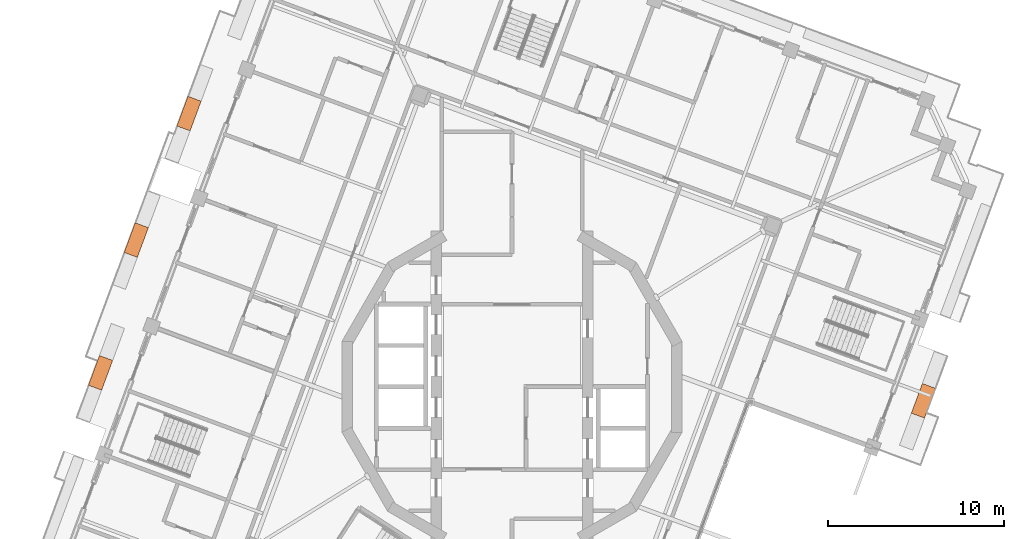
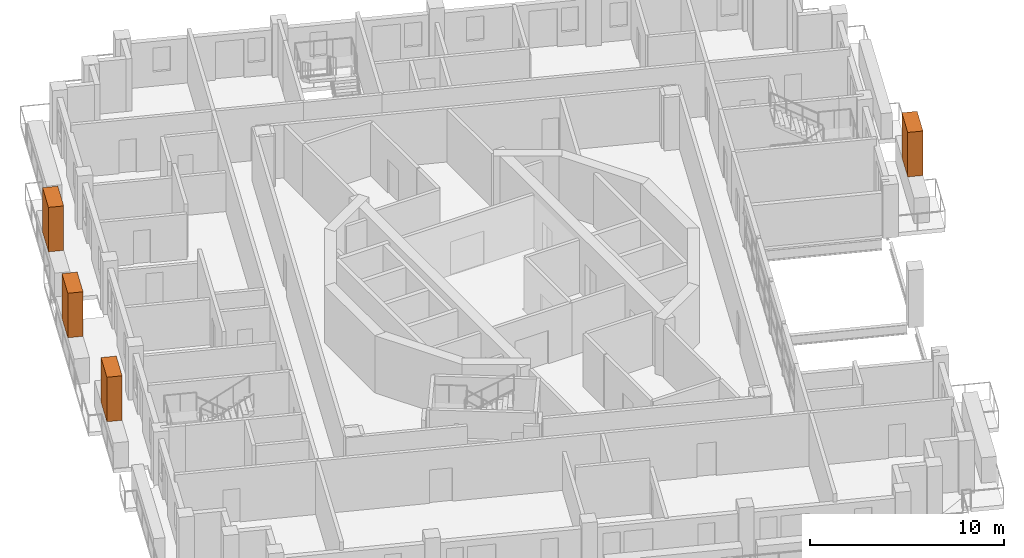
# One storey, part 19 of 19: 4 proxies.
"""IFC4 building model written with IfcOpenShell, lengths in metres."""

from ifc_helpers import new_model, si_unit, direction, frame, origin, origin_2d, place, context, subcontext, project, spatial, rectangle, extrude, element, save


model = new_model("IFC4")

# Units and contexts
model_context = context("Model", 3, precision=1e-05, world=origin(), true_north=direction((0.0, 1.0)))
body_context = subcontext(model_context, "Body", "Model", "MODEL_VIEW")
ifc_project = project(units=[si_unit("LENGTHUNIT", "METRE"), si_unit("AREAUNIT", "SQUARE_METRE"), si_unit("VOLUMEUNIT", "CUBIC_METRE"), si_unit("PLANEANGLEUNIT", "RADIAN"), si_unit("MASSUNIT", "GRAM", prefix="KILO")], contexts=[model_context])

# Site, building, storey
site_placement = place(None, origin())
site = spatial("IfcSite", under=ifc_project, at=site_placement, CompositionType="ELEMENT")
building_placement = place(site_placement, origin())
building = spatial("IfcBuilding", under=site, at=building_placement, Name="Cantera Rosa Tower", CompositionType="ELEMENT")
storey_placement = place(building_placement, frame((0.0, 0.0, 334.89990234375)))
storey = spatial("IfcBuildingStorey", under=building, at=storey_placement, Name="L75", CompositionType="ELEMENT", Elevation=334.89990234375)

# Proxies
for number, where, z_axis, x_axis, name in (
    (1, (-18.3544921875, 15.525146484375, 1.60009765625), (0.0, 0.0, 1.0), (-0.347481234489, -0.937686936924, 0.0), "TREE L75-06"),
    (2, (-21.351806640625, 8.339111328125, 1.60009765625), (0.0, 0.0, 1.0), (-0.347481234489, -0.937686936924, 0.0), "TREE L75-07"),
    (3, (-23.38134765625, 0.7939453125, 1.60009765625), (0.0, 0.0, 1.0), (-0.347481234489, -0.937686936924, 0.0), "TREE L75-08"),
    (4, (23.38134765625, -0.7939453125, 1.60009765625), (0.0, 0.0, 1.0), (0.347481234489, 0.937686936924, 0.0), "TREE L75-17"),
):
    element("IfcBuildingElementProxy", number, at=place(storey_placement, frame(where, z_axis=z_axis, x_axis=x_axis)), inside=storey, Name=name, ObjectType="TREE", PredefinedType="USERDEFINED", context=body_context, shape_type="SweptSolid", body=[
        extrude(rectangle(XDim=1.800048828125, YDim=0.800048828125, at=origin_2d()), origin(), (0.0, 0.0, 1.0), 2.800048828125),
    ])

save(model, "model.ifc")
